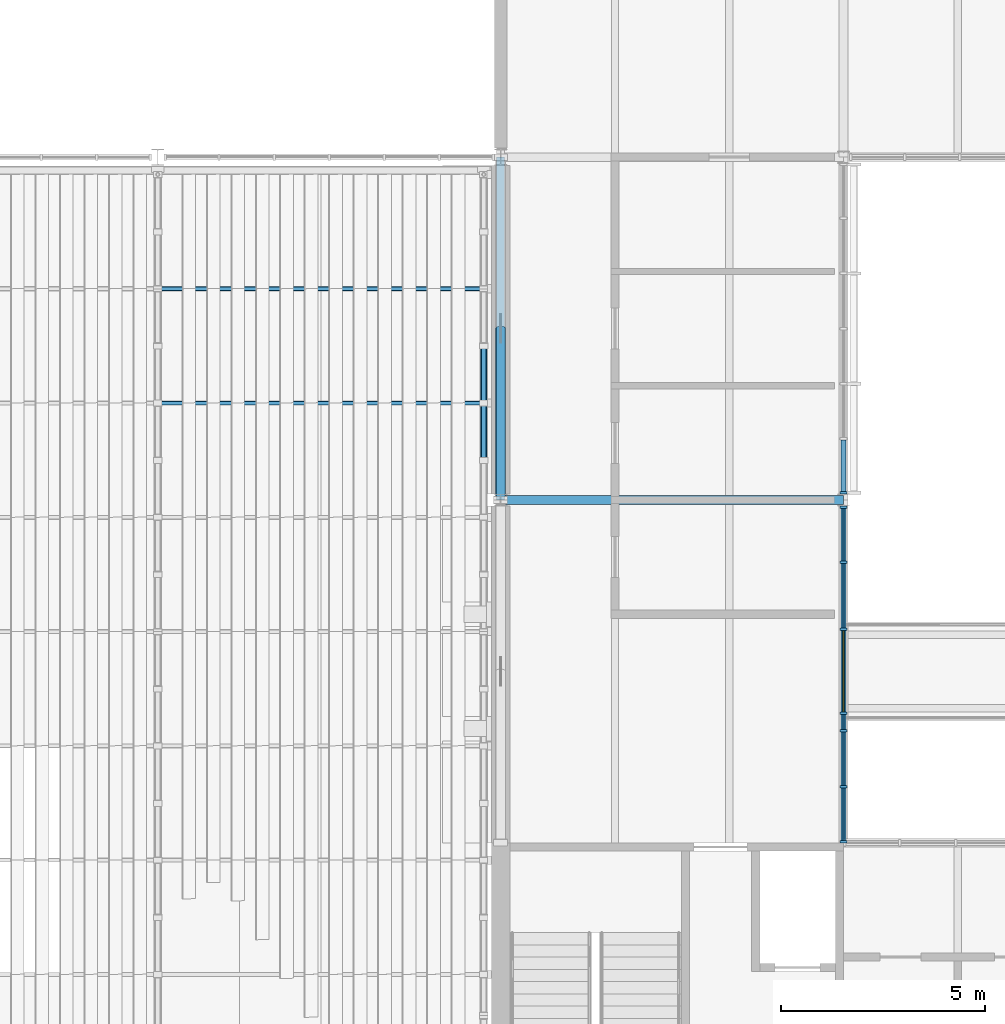
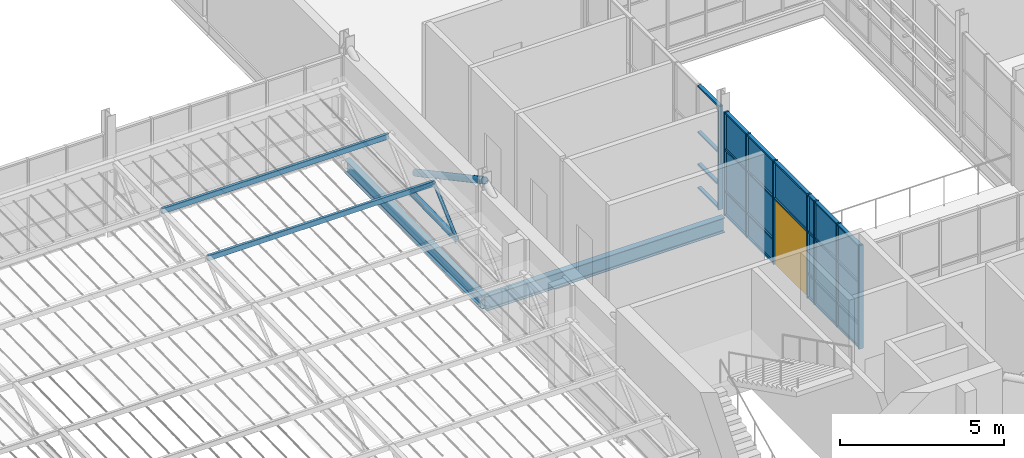
# One storey, part 37 of 129: 40 members, 16 plates, 2 beams, 1 door, 1 opening, 2 elements without a shape of their own.
"""IFC4 building model written with IfcOpenShell, lengths in metres."""

from ifc_helpers import new_model, si_unit, direction, frame, frame_2d, origin, origin_2d, place, context, subcontext, project, spatial, rectangle, hollow_rectangle, hollow_circle, i_section, extrude, material, layer, layer_set, material_profile, profile_set, type_object, element, fill, aggregate, save


model = new_model("IFC4")

# Units and contexts
model_context = context("Model", 3, precision=1e-05, world=origin(), true_north=direction((0.0, 1.0)))
body_context = subcontext(model_context, "Body", "Model", "MODEL_VIEW")
ifc_project = project(units=[si_unit("LENGTHUNIT", "METRE"), si_unit("AREAUNIT", "SQUARE_METRE"), si_unit("VOLUMEUNIT", "CUBIC_METRE"), si_unit("PLANEANGLEUNIT", "RADIAN"), si_unit("MASSUNIT", "GRAM", prefix="KILO")], contexts=[model_context])

# Site, building, storey
site_placement = place(None, origin())
site = spatial("IfcSite", under=ifc_project, at=site_placement, CompositionType="ELEMENT")
building_placement = place(site_placement, origin())
building = spatial("IfcBuilding", under=site, at=building_placement, Name="Ardhachandra Cancer Care Centre", CompositionType="ELEMENT")
storey_placement = place(building_placement, frame((0.0, 0.0, 4.5)))
storey = spatial("IfcBuildingStorey", under=building, at=storey_placement, Name="L01", CompositionType="ELEMENT", Elevation=4.5)

# Beams
ifc_material_1 = material(Name="Steel E350 (IS 2062)", Category="steel")
ifc_material_profile_1 = material_profile(ifc_material_1, i_section(OverallWidth=0.199951171875, OverallDepth=0.5, WebThickness=0.01025390625, FlangeThickness=0.01611328125, FilletRadius=0.02099609375, at=origin_2d()), Name="NPB 500x200x90.68")
ifc_profile_set_1 = profile_set([ifc_material_profile_1], Name="Steel E350 (IS 2062)")
beam_type_1 = type_object("IfcBeamType", Name="Beam NPB 500x200x90.68", PredefinedType="BEAM", material=ifc_profile_set_1)
beam_1_placement = place(storey_placement, frame((111.60009765625, 46.199951171875, -0.39990234375), z_axis=(0.0, 1.0, 0.0), x_axis=(-1.0, 0.0, 0.0)))
element("IfcBeam", 1, at=beam_1_placement, inside=storey, type_object=beam_type_1, Name="Edge girder E13-F13", PredefinedType="BEAM", context=body_context, shape_type="SweptSolid", body=[
    extrude(i_section(OverallWidth=0.199951171875, OverallDepth=0.5, WebThickness=0.01025390625, FlangeThickness=0.01611328125, FilletRadius=0.02099609375, at=origin_2d()), origin(), (0.0, 0.0, 1.0), 8.400146484375),
])
ifc_material_2 = material(Name="Steel E350 (IS 2062)", Category="steel")
ifc_material_profile_2 = material_profile(ifc_material_2, i_section(OverallWidth=0.2099609375, OverallDepth=0.550048828125, WebThickness=0.010986328125, FlangeThickness=0.01708984375, FilletRadius=0.02392578125, at=origin_2d()), Name="NPB 550x210x105.52")
ifc_profile_set_2 = profile_set([ifc_material_profile_2], Name="Steel E350 (IS 2062)")
beam_type_2 = type_object("IfcBeamType", Name="Beam NPB 550x210x105.52", PredefinedType="BEAM", material=ifc_profile_set_2)
beam_2_placement = place(storey_placement, frame((111.60009765625, 46.199951171875, -0.425048828125), z_axis=(1.0, 0.0, 0.0), x_axis=(0.0, 1.0, 0.0)))
element("IfcBeam", 2, at=beam_2_placement, inside=storey, type_object=beam_type_2, Name="Girder E13-E14", PredefinedType="BEAM", context=body_context, shape_type="SweptSolid", body=[
    extrude(i_section(OverallWidth=0.2099609375, OverallDepth=0.550048828125, WebThickness=0.010986328125, FlangeThickness=0.01708984375, FilletRadius=0.02392578125, at=origin_2d()), origin(), (0.0, 0.0, 1.0), 8.39990234375),
])

# Members
ifc_material_3 = material(Name="Steel E350 (IS 2062)", Category="steel")
ifc_material_profile_3 = material_profile(ifc_material_3, hollow_circle(Radius=0.122314453125, WallThickness=0.010009765625, at=origin_2d()), Name="CHS 244.5x10.0")
ifc_profile_set_3 = profile_set([ifc_material_profile_3], Name="Steel E350 (IS 2062)")
member_type_1 = type_object("IfcMemberType", Name="Brace CHS 244.5x10.0", PredefinedType="BRACE", material=ifc_profile_set_3)
member_1_placement = place(storey_placement, frame((111.60009765625, 50.39990234375, 1.85888671875), z_axis=(0.0, -0.88068799453, 0.473696797848), x_axis=(1.0, 0.0, 0.0)))
element("IfcMember", 3, at=member_1_placement, inside=storey, type_object=member_type_1, Name="Brace V4-Y1116-462 L01 B2", PredefinedType="BRACE", context=body_context, shape_type="SweptSolid", body=[
    extrude(hollow_circle(Radius=0.122314453125, WallThickness=0.010009765625, at=origin_2d()), origin(), (0.0, 0.0, 1.0), 4.76904296875),
])
ifc_material_4 = material(Name="Steel E350 (IS 2062)", Category="steel")
ifc_material_profile_4 = material_profile(ifc_material_4, hollow_rectangle(XDim=0.10009765625, YDim=0.199951171875, WallThickness=0.006103515625, InnerFilletRadius=0.006103515625, OuterFilletRadius=0.011962890625, at=origin_2d()), Name="RHS 200x100x6.0")
ifc_profile_set_4 = profile_set([ifc_material_profile_4], Name="Steel E350 (IS 2062)")
member_type_2 = type_object("IfcMemberType", Name="Canopy purlin RHS 200x100x6.0", PredefinedType="PURLIN", material=ifc_profile_set_4)
for number, where, z_axis, x_axis, name in (
    (4, (103.199951171875, 51.375, 2.78759765625), (1.0, 0.0, 0.0), (0.0, 1.0, 0.0), "Canopy purlin 1-8"),
    (5, (103.199951171875, 48.574951171875, 2.7314453125), (1.0, 0.0, 0.0), (0.0, 1.0, 0.0), "Canopy purlin 2-8"),
):
    element("IfcMember", number, at=place(storey_placement, frame(where, z_axis=z_axis, x_axis=x_axis)), inside=storey, type_object=member_type_2, Name=name, PredefinedType="PURLIN", context=body_context, shape_type="SweptSolid", body=[
        extrude(hollow_rectangle(XDim=0.10009765625, YDim=0.199951171875, WallThickness=0.006103515625, InnerFilletRadius=0.006103515625, OuterFilletRadius=0.011962890625, at=origin_2d()), origin(), (0.0, 0.0, 1.0), 7.985107421875),
    ])
ifc_material_5 = material(Name="Steel E350 (IS 2062)", Category="steel")
ifc_material_profile_5 = material_profile(ifc_material_5, hollow_rectangle(XDim=0.14990234375, YDim=0.14990234375, WallThickness=0.006103515625, InnerFilletRadius=0.006103515625, OuterFilletRadius=0.011962890625, at=origin_2d()), Name="SHS 150x150x6.0")
ifc_profile_set_5 = profile_set([ifc_material_profile_5], Name="Steel E350 (IS 2062)")
member_type_3 = type_object("IfcMemberType", Name="Canopy truss bottom chord SHS 150x150x6.0", PredefinedType="CHORD", material=ifc_profile_set_5)
member_2_placement = place(storey_placement, frame((111.18505859375, 49.97509765625, 1.534423828125), z_axis=(0.0, -0.999800721691, -0.019962888244), x_axis=(1.0, 0.0, 0.0)))
element("IfcMember", 6, at=member_2_placement, inside=storey, type_object=member_type_3, Name="Canopy truss 9 bottom chord BC11", PredefinedType="CHORD", context=body_context, shape_type="SweptSolid", body=[
    extrude(hollow_rectangle(XDim=0.14990234375, YDim=0.14990234375, WallThickness=0.006103515625, InnerFilletRadius=0.006103515625, OuterFilletRadius=0.011962890625, at=origin_2d()), origin(), (0.0, 0.0, 1.0), 2.800537109375),
])
ifc_material_6 = material(Name="Steel E350 (IS 2062)", Category="steel")
ifc_material_profile_6 = material_profile(ifc_material_6, hollow_circle(Radius=0.05712890625, WallThickness=0.0048828125, at=origin_2d()), Name="CHS 114.3x5.0")
ifc_profile_set_6 = profile_set([ifc_material_profile_6], Name="Steel E350 (IS 2062)")
member_type_4 = type_object("IfcMemberType", Name="Canopy truss diagonal CHS 114.3x5.0", PredefinedType="BRACE", material=ifc_profile_set_6)
member_3_placement = place(storey_placement, frame((111.18505859375, 49.97509765625, 1.534423828125), z_axis=(0.0, -0.75740770942, 0.65294223459), x_axis=(1.0, 0.0, 0.0)))
element("IfcMember", 7, at=member_3_placement, inside=storey, type_object=member_type_4, Name="Canopy truss 9 web diagonal WD21", PredefinedType="BRACE", context=body_context, shape_type="SweptSolid", body=[
    extrude(hollow_circle(Radius=0.05712890625, WallThickness=0.0048828125, at=origin_2d()), origin(), (0.0, 0.0, 1.0), 1.8486328125),
])
member_4_placement = place(storey_placement, frame((111.18505859375, 48.574951171875, 2.741455078125), z_axis=(0.0, -0.742495214915, -0.669851368461), x_axis=(1.0, 0.0, 0.0)))
element("IfcMember", 8, at=member_4_placement, inside=storey, type_object=member_type_4, Name="Canopy truss 9 web diagonal WD22", PredefinedType="BRACE", context=body_context, shape_type="SweptSolid", body=[
    extrude(hollow_circle(Radius=0.05712890625, WallThickness=0.0048828125, at=origin_2d()), origin(), (0.0, 0.0, 1.0), 1.885498046875),
])

# Curtain wall, opening, members
ifc_material_7 = material(Name="Aluminium extrusion", Category="aluminium")
ifc_layer_1 = layer(ifc_material_7, 0.14990234375)
ifc_layer_set_1 = layer_set([ifc_layer_1], Name="Aluminium extrusion")
curtain_wall_type = type_object("IfcCurtainWallType", Name="Curtain wall run", PredefinedType="NOTDEFINED", material=ifc_layer_set_1)
curtain_wall_1_placement = place(storey_placement, frame((120.0, 37.800048828125, 0.0), z_axis=(0.0, 0.0, 1.0), x_axis=(0.0, 1.0, 0.0)))
curtain_wall_1 = element("IfcCurtainWall", 9, at=curtain_wall_1_placement, inside=storey, type_object=curtain_wall_type, Name="Curtain wall L01 e/0120000_0037800", PredefinedType="NOTDEFINED")
opening_placement = place(curtain_wall_1_placement, frame((3.199951171875, 0.0, 0.0)))
opening = element("IfcOpeningElement", 10, at=opening_placement, cuts=curtain_wall_1, Name="Opening BR-LC1-L01-e", PredefinedType="OPENING", context=body_context, shape_type="SweptSolid", body=[
    extrude(rectangle(XDim=2.0, YDim=2.39990234375, at=frame_2d((1.0, 1.199951171875))), frame((0.0, 0.0849609375, 0.0), z_axis=(0.0, -1.0, 0.0), x_axis=(1.0, 0.0, 0.0)), (0.0, 0.0, 1.0), 0.169921875),
])
ifc_material_8 = material(Name="Aluminium extrusion", Category="aluminium")
ifc_material_profile_7 = material_profile(ifc_material_8, rectangle(XDim=0.159912109375, YDim=0.06005859375, at=origin_2d()), Name="Curtain wall mullion 60 x 160")
ifc_profile_set_7 = profile_set([ifc_material_profile_7], Name="Aluminium extrusion")
member_type_5 = type_object("IfcMemberType", Name="Curtain wall mullion 60 x 160", PredefinedType="MULLION", material=ifc_profile_set_7)
member_5_placement = place(storey_placement, frame((120.0, 37.830078125, 0.0), z_axis=(0.0, 0.0, 1.0), x_axis=(-1.0, 0.0, 0.0)))
member_5 = element("IfcMember", 11, at=member_5_placement, type_object=member_type_5, Name="CW mullion 1", PredefinedType="MULLION", context=body_context, shape_type="SweptSolid", body=[
    extrude(rectangle(XDim=0.159912109375, YDim=0.06005859375, at=origin_2d()), origin(), (0.0, 0.0, 1.0), 3.85009765625),
])
member_6_placement = place(storey_placement, frame((120.0, 39.175048828125, 0.0), z_axis=(0.0, 0.0, 1.0), x_axis=(-1.0, 0.0, 0.0)))
member_6 = element("IfcMember", 12, at=member_6_placement, type_object=member_type_5, Name="CW mullion 2", PredefinedType="MULLION", context=body_context, shape_type="SweptSolid", body=[
    extrude(rectangle(XDim=0.159912109375, YDim=0.06005859375, at=origin_2d()), origin(), (0.0, 0.0, 1.0), 3.85009765625),
])
member_7_placement = place(storey_placement, frame((120.0, 40.550048828125, 0.0), z_axis=(0.0, 0.0, 1.0), x_axis=(-1.0, 0.0, 0.0)))
member_7 = element("IfcMember", 13, at=member_7_placement, type_object=member_type_5, Name="CW mullion 3", PredefinedType="MULLION", context=body_context, shape_type="SweptSolid", body=[
    extrude(rectangle(XDim=0.159912109375, YDim=0.06005859375, at=origin_2d()), origin(), (0.0, 0.0, 1.0), 3.85009765625),
])
member_8_placement = place(storey_placement, frame((120.0, 40.969970703125, 0.0), z_axis=(0.0, 0.0, 1.0), x_axis=(-1.0, 0.0, 0.0)))
member_8 = element("IfcMember", 14, at=member_8_placement, type_object=member_type_5, Name="CW mullion 4", PredefinedType="MULLION", context=body_context, shape_type="SweptSolid", body=[
    extrude(rectangle(XDim=0.159912109375, YDim=0.06005859375, at=origin_2d()), origin(), (0.0, 0.0, 1.0), 3.85009765625),
])
member_9_placement = place(storey_placement, frame((120.0, 43.030029296875, 0.0), z_axis=(0.0, 0.0, 1.0), x_axis=(-1.0, 0.0, 0.0)))
member_9 = element("IfcMember", 15, at=member_9_placement, type_object=member_type_5, Name="CW mullion 5", PredefinedType="MULLION", context=body_context, shape_type="SweptSolid", body=[
    extrude(rectangle(XDim=0.159912109375, YDim=0.06005859375, at=origin_2d()), origin(), (0.0, 0.0, 1.0), 3.85009765625),
])
member_10_placement = place(storey_placement, frame((120.0, 44.675048828125, 0.0), z_axis=(0.0, 0.0, 1.0), x_axis=(-1.0, 0.0, 0.0)))
member_10 = element("IfcMember", 16, at=member_10_placement, type_object=member_type_5, Name="CW mullion 6", PredefinedType="MULLION", context=body_context, shape_type="SweptSolid", body=[
    extrude(rectangle(XDim=0.159912109375, YDim=0.06005859375, at=origin_2d()), origin(), (0.0, 0.0, 1.0), 3.85009765625),
])
member_11_placement = place(storey_placement, frame((120.0, 46.02001953125, 0.0), z_axis=(0.0, 0.0, 1.0), x_axis=(-1.0, 0.0, 0.0)))
member_11 = element("IfcMember", 17, at=member_11_placement, type_object=member_type_5, Name="CW mullion 7", PredefinedType="MULLION", context=body_context, shape_type="SweptSolid", body=[
    extrude(rectangle(XDim=0.159912109375, YDim=0.06005859375, at=origin_2d()), origin(), (0.0, 0.0, 1.0), 3.85009765625),
])

# Curtain wall, member
curtain_wall_2_placement = place(storey_placement, origin())
curtain_wall_2 = element("IfcCurtainWall", 18, at=curtain_wall_2_placement, inside=storey, type_object=curtain_wall_type, Name="Curtain wall L01 e/0120000_0046200", PredefinedType="NOTDEFINED")
member_12_placement = place(storey_placement, frame((120.0, 46.3798828125, 0.0), z_axis=(0.0, 0.0, 1.0), x_axis=(-1.0, 0.0, 0.0)))
member_12 = element("IfcMember", 19, at=member_12_placement, type_object=member_type_5, Name="CW mullion 1", PredefinedType="MULLION", context=body_context, shape_type="SweptSolid", body=[
    extrude(rectangle(XDim=0.159912109375, YDim=0.06005859375, at=origin_2d()), origin(), (0.0, 0.0, 1.0), 3.85009765625),
])

# Member
ifc_material_9 = material(Name="Aluminium extrusion", Category="aluminium")
ifc_material_profile_8 = material_profile(ifc_material_9, rectangle(XDim=0.1201171875, YDim=0.06005859375, at=origin_2d()), Name="Curtain wall transom 60 x 120")
ifc_profile_set_8 = profile_set([ifc_material_profile_8], Name="Aluminium extrusion")
member_type_6 = type_object("IfcMemberType", Name="Curtain wall transom 60 x 120", PredefinedType="USERDEFINED", material=ifc_profile_set_8)
member_13_placement = place(storey_placement, frame((120.0, 37.860107421875, 0.030029296875), z_axis=(0.0, 1.0, 0.0), x_axis=(-1.0, 0.0, 0.0)))
member_13 = element("IfcMember", 20, at=member_13_placement, type_object=member_type_6, Name="CW transom 1.1", ObjectType="TRANSOM", PredefinedType="USERDEFINED", context=body_context, shape_type="SweptSolid", body=[
    extrude(rectangle(XDim=0.1201171875, YDim=0.06005859375, at=origin_2d()), origin(), (0.0, 0.0, 1.0), 1.284912109375),
])

member_14_placement = place(storey_placement, frame((120.0, 37.860107421875, 0.89990234375), z_axis=(0.0, 1.0, 0.0), x_axis=(-1.0, 0.0, 0.0)))
member_14 = element("IfcMember", 21, at=member_14_placement, type_object=member_type_6, Name="CW transom 1.2", ObjectType="TRANSOM", PredefinedType="USERDEFINED", context=body_context, shape_type="SweptSolid", body=[
    extrude(rectangle(XDim=0.1201171875, YDim=0.06005859375, at=origin_2d()), origin(), (0.0, 0.0, 1.0), 1.284912109375),
])

member_15_placement = place(storey_placement, frame((120.0, 37.860107421875, 2.4599609375), z_axis=(0.0, 1.0, 0.0), x_axis=(-1.0, 0.0, 0.0)))
member_15 = element("IfcMember", 22, at=member_15_placement, type_object=member_type_6, Name="CW transom 1.3", ObjectType="TRANSOM", PredefinedType="USERDEFINED", context=body_context, shape_type="SweptSolid", body=[
    extrude(rectangle(XDim=0.1201171875, YDim=0.06005859375, at=origin_2d()), origin(), (0.0, 0.0, 1.0), 1.284912109375),
])

member_16_placement = place(storey_placement, frame((120.0, 37.860107421875, 3.820068359375), z_axis=(0.0, 1.0, 0.0), x_axis=(-1.0, 0.0, 0.0)))
member_16 = element("IfcMember", 23, at=member_16_placement, type_object=member_type_6, Name="CW transom 1.4", ObjectType="TRANSOM", PredefinedType="USERDEFINED", context=body_context, shape_type="SweptSolid", body=[
    extrude(rectangle(XDim=0.1201171875, YDim=0.06005859375, at=origin_2d()), origin(), (0.0, 0.0, 1.0), 1.284912109375),
])

member_17_placement = place(storey_placement, frame((120.0, 39.205078125, 0.030029296875), z_axis=(0.0, 1.0, 0.0), x_axis=(-1.0, 0.0, 0.0)))
member_17 = element("IfcMember", 24, at=member_17_placement, type_object=member_type_6, Name="CW transom 2.1", ObjectType="TRANSOM", PredefinedType="USERDEFINED", context=body_context, shape_type="SweptSolid", body=[
    extrude(rectangle(XDim=0.1201171875, YDim=0.06005859375, at=origin_2d()), origin(), (0.0, 0.0, 1.0), 1.31494140625),
])

member_18_placement = place(storey_placement, frame((120.0, 39.205078125, 0.89990234375), z_axis=(0.0, 1.0, 0.0), x_axis=(-1.0, 0.0, 0.0)))
member_18 = element("IfcMember", 25, at=member_18_placement, type_object=member_type_6, Name="CW transom 2.2", ObjectType="TRANSOM", PredefinedType="USERDEFINED", context=body_context, shape_type="SweptSolid", body=[
    extrude(rectangle(XDim=0.1201171875, YDim=0.06005859375, at=origin_2d()), origin(), (0.0, 0.0, 1.0), 1.31494140625),
])

member_19_placement = place(storey_placement, frame((120.0, 39.205078125, 2.4599609375), z_axis=(0.0, 1.0, 0.0), x_axis=(-1.0, 0.0, 0.0)))
member_19 = element("IfcMember", 26, at=member_19_placement, type_object=member_type_6, Name="CW transom 2.3", ObjectType="TRANSOM", PredefinedType="USERDEFINED", context=body_context, shape_type="SweptSolid", body=[
    extrude(rectangle(XDim=0.1201171875, YDim=0.06005859375, at=origin_2d()), origin(), (0.0, 0.0, 1.0), 1.31494140625),
])

member_20_placement = place(storey_placement, frame((120.0, 39.205078125, 3.820068359375), z_axis=(0.0, 1.0, 0.0), x_axis=(-1.0, 0.0, 0.0)))
member_20 = element("IfcMember", 27, at=member_20_placement, type_object=member_type_6, Name="CW transom 2.4", ObjectType="TRANSOM", PredefinedType="USERDEFINED", context=body_context, shape_type="SweptSolid", body=[
    extrude(rectangle(XDim=0.1201171875, YDim=0.06005859375, at=origin_2d()), origin(), (0.0, 0.0, 1.0), 1.31494140625),
])

member_21_placement = place(storey_placement, frame((120.0, 40.580078125, 0.030029296875), z_axis=(0.0, 1.0, 0.0), x_axis=(-1.0, 0.0, 0.0)))
member_21 = element("IfcMember", 28, at=member_21_placement, type_object=member_type_6, Name="CW transom 3.1", ObjectType="TRANSOM", PredefinedType="USERDEFINED", context=body_context, shape_type="SweptSolid", body=[
    extrude(rectangle(XDim=0.1201171875, YDim=0.06005859375, at=origin_2d()), origin(), (0.0, 0.0, 1.0), 0.35986328125),
])

member_22_placement = place(storey_placement, frame((120.0, 40.580078125, 0.89990234375), z_axis=(0.0, 1.0, 0.0), x_axis=(-1.0, 0.0, 0.0)))
member_22 = element("IfcMember", 29, at=member_22_placement, type_object=member_type_6, Name="CW transom 3.2", ObjectType="TRANSOM", PredefinedType="USERDEFINED", context=body_context, shape_type="SweptSolid", body=[
    extrude(rectangle(XDim=0.1201171875, YDim=0.06005859375, at=origin_2d()), origin(), (0.0, 0.0, 1.0), 0.35986328125),
])

member_23_placement = place(storey_placement, frame((120.0, 40.580078125, 2.4599609375), z_axis=(0.0, 1.0, 0.0), x_axis=(-1.0, 0.0, 0.0)))
member_23 = element("IfcMember", 30, at=member_23_placement, type_object=member_type_6, Name="CW transom 3.3", ObjectType="TRANSOM", PredefinedType="USERDEFINED", context=body_context, shape_type="SweptSolid", body=[
    extrude(rectangle(XDim=0.1201171875, YDim=0.06005859375, at=origin_2d()), origin(), (0.0, 0.0, 1.0), 0.35986328125),
])

member_24_placement = place(storey_placement, frame((120.0, 40.580078125, 3.820068359375), z_axis=(0.0, 1.0, 0.0), x_axis=(-1.0, 0.0, 0.0)))
member_24 = element("IfcMember", 31, at=member_24_placement, type_object=member_type_6, Name="CW transom 3.4", ObjectType="TRANSOM", PredefinedType="USERDEFINED", context=body_context, shape_type="SweptSolid", body=[
    extrude(rectangle(XDim=0.1201171875, YDim=0.06005859375, at=origin_2d()), origin(), (0.0, 0.0, 1.0), 0.35986328125),
])

member_25_placement = place(storey_placement, frame((120.0, 41.0, 2.4599609375), z_axis=(0.0, 1.0, 0.0), x_axis=(-1.0, 0.0, 0.0)))
member_25 = element("IfcMember", 32, at=member_25_placement, type_object=member_type_6, Name="CW transom 4.1", ObjectType="TRANSOM", PredefinedType="USERDEFINED", context=body_context, shape_type="SweptSolid", body=[
    extrude(rectangle(XDim=0.1201171875, YDim=0.06005859375, at=origin_2d()), origin(), (0.0, 0.0, 1.0), 2.0),
])

member_26_placement = place(storey_placement, frame((120.0, 41.0, 3.820068359375), z_axis=(0.0, 1.0, 0.0), x_axis=(-1.0, 0.0, 0.0)))
member_26 = element("IfcMember", 33, at=member_26_placement, type_object=member_type_6, Name="CW transom 4.2", ObjectType="TRANSOM", PredefinedType="USERDEFINED", context=body_context, shape_type="SweptSolid", body=[
    extrude(rectangle(XDim=0.1201171875, YDim=0.06005859375, at=origin_2d()), origin(), (0.0, 0.0, 1.0), 2.0),
])

member_27_placement = place(storey_placement, frame((120.0, 43.06005859375, 0.030029296875), z_axis=(0.0, 1.0, 0.0), x_axis=(-1.0, 0.0, 0.0)))
member_27 = element("IfcMember", 34, at=member_27_placement, type_object=member_type_6, Name="CW transom 5.1", ObjectType="TRANSOM", PredefinedType="USERDEFINED", context=body_context, shape_type="SweptSolid", body=[
    extrude(rectangle(XDim=0.1201171875, YDim=0.06005859375, at=origin_2d()), origin(), (0.0, 0.0, 1.0), 1.5849609375),
])

member_28_placement = place(storey_placement, frame((120.0, 43.06005859375, 0.89990234375), z_axis=(0.0, 1.0, 0.0), x_axis=(-1.0, 0.0, 0.0)))
member_28 = element("IfcMember", 35, at=member_28_placement, type_object=member_type_6, Name="CW transom 5.2", ObjectType="TRANSOM", PredefinedType="USERDEFINED", context=body_context, shape_type="SweptSolid", body=[
    extrude(rectangle(XDim=0.1201171875, YDim=0.06005859375, at=origin_2d()), origin(), (0.0, 0.0, 1.0), 1.5849609375),
])

member_29_placement = place(storey_placement, frame((120.0, 43.06005859375, 2.4599609375), z_axis=(0.0, 1.0, 0.0), x_axis=(-1.0, 0.0, 0.0)))
member_29 = element("IfcMember", 36, at=member_29_placement, type_object=member_type_6, Name="CW transom 5.3", ObjectType="TRANSOM", PredefinedType="USERDEFINED", context=body_context, shape_type="SweptSolid", body=[
    extrude(rectangle(XDim=0.1201171875, YDim=0.06005859375, at=origin_2d()), origin(), (0.0, 0.0, 1.0), 1.5849609375),
])

member_30_placement = place(storey_placement, frame((120.0, 43.06005859375, 3.820068359375), z_axis=(0.0, 1.0, 0.0), x_axis=(-1.0, 0.0, 0.0)))
member_30 = element("IfcMember", 37, at=member_30_placement, type_object=member_type_6, Name="CW transom 5.4", ObjectType="TRANSOM", PredefinedType="USERDEFINED", context=body_context, shape_type="SweptSolid", body=[
    extrude(rectangle(XDim=0.1201171875, YDim=0.06005859375, at=origin_2d()), origin(), (0.0, 0.0, 1.0), 1.5849609375),
])

member_31_placement = place(storey_placement, frame((120.0, 44.705078125, 0.030029296875), z_axis=(0.0, 1.0, 0.0), x_axis=(-1.0, 0.0, 0.0)))
member_31 = element("IfcMember", 38, at=member_31_placement, type_object=member_type_6, Name="CW transom 6.1", ObjectType="TRANSOM", PredefinedType="USERDEFINED", context=body_context, shape_type="SweptSolid", body=[
    extrude(rectangle(XDim=0.1201171875, YDim=0.06005859375, at=origin_2d()), origin(), (0.0, 0.0, 1.0), 1.284912109375),
])

member_32_placement = place(storey_placement, frame((120.0, 44.705078125, 0.89990234375), z_axis=(0.0, 1.0, 0.0), x_axis=(-1.0, 0.0, 0.0)))
member_32 = element("IfcMember", 39, at=member_32_placement, type_object=member_type_6, Name="CW transom 6.2", ObjectType="TRANSOM", PredefinedType="USERDEFINED", context=body_context, shape_type="SweptSolid", body=[
    extrude(rectangle(XDim=0.1201171875, YDim=0.06005859375, at=origin_2d()), origin(), (0.0, 0.0, 1.0), 1.284912109375),
])

member_33_placement = place(storey_placement, frame((120.0, 44.705078125, 2.4599609375), z_axis=(0.0, 1.0, 0.0), x_axis=(-1.0, 0.0, 0.0)))
member_33 = element("IfcMember", 40, at=member_33_placement, type_object=member_type_6, Name="CW transom 6.3", ObjectType="TRANSOM", PredefinedType="USERDEFINED", context=body_context, shape_type="SweptSolid", body=[
    extrude(rectangle(XDim=0.1201171875, YDim=0.06005859375, at=origin_2d()), origin(), (0.0, 0.0, 1.0), 1.284912109375),
])

member_34_placement = place(storey_placement, frame((120.0, 44.705078125, 3.820068359375), z_axis=(0.0, 1.0, 0.0), x_axis=(-1.0, 0.0, 0.0)))
member_34 = element("IfcMember", 41, at=member_34_placement, type_object=member_type_6, Name="CW transom 6.4", ObjectType="TRANSOM", PredefinedType="USERDEFINED", context=body_context, shape_type="SweptSolid", body=[
    extrude(rectangle(XDim=0.1201171875, YDim=0.06005859375, at=origin_2d()), origin(), (0.0, 0.0, 1.0), 1.284912109375),
])

member_35_placement = place(storey_placement, frame((120.0, 46.409912109375, 0.030029296875), z_axis=(0.0, 1.0, 0.0), x_axis=(-1.0, 0.0, 0.0)))
member_35 = element("IfcMember", 42, at=member_35_placement, type_object=member_type_6, Name="CW transom 1.1", ObjectType="TRANSOM", PredefinedType="USERDEFINED", context=body_context, shape_type="SweptSolid", body=[
    extrude(rectangle(XDim=0.1201171875, YDim=0.06005859375, at=origin_2d()), origin(), (0.0, 0.0, 1.0), 1.260009765625),
])

member_36_placement = place(storey_placement, frame((120.0, 46.409912109375, 0.89990234375), z_axis=(0.0, 1.0, 0.0), x_axis=(-1.0, 0.0, 0.0)))
member_36 = element("IfcMember", 43, at=member_36_placement, type_object=member_type_6, Name="CW transom 1.2", ObjectType="TRANSOM", PredefinedType="USERDEFINED", context=body_context, shape_type="SweptSolid", body=[
    extrude(rectangle(XDim=0.1201171875, YDim=0.06005859375, at=origin_2d()), origin(), (0.0, 0.0, 1.0), 1.260009765625),
])

member_37_placement = place(storey_placement, frame((120.0, 46.409912109375, 2.10009765625), z_axis=(0.0, 1.0, 0.0), x_axis=(-1.0, 0.0, 0.0)))
member_37 = element("IfcMember", 44, at=member_37_placement, type_object=member_type_6, Name="CW transom 1.3", ObjectType="TRANSOM", PredefinedType="USERDEFINED", context=body_context, shape_type="SweptSolid", body=[
    extrude(rectangle(XDim=0.1201171875, YDim=0.06005859375, at=origin_2d()), origin(), (0.0, 0.0, 1.0), 1.260009765625),
])

member_38_placement = place(storey_placement, frame((120.0, 46.409912109375, 3.820068359375), z_axis=(0.0, 1.0, 0.0), x_axis=(-1.0, 0.0, 0.0)))
member_38 = element("IfcMember", 45, at=member_38_placement, type_object=member_type_6, Name="CW transom 1.4", ObjectType="TRANSOM", PredefinedType="USERDEFINED", context=body_context, shape_type="SweptSolid", body=[
    extrude(rectangle(XDim=0.1201171875, YDim=0.06005859375, at=origin_2d()), origin(), (0.0, 0.0, 1.0), 1.260009765625),
])

aggregate(curtain_wall_2, [member_12, member_35, member_36, member_37, member_38])

# Plate
ifc_material_10 = material(Name="Low-iron double-glazed unit")
ifc_layer_2 = layer(ifc_material_10, 0.028076171875)
ifc_layer_set_2 = layer_set([ifc_layer_2], Name="Low-iron double-glazed unit")
plate_type_1 = type_object("IfcPlateType", Name="Curtain wall glazing 28", PredefinedType="CURTAIN_PANEL", material=ifc_layer_set_2)
plate_1_placement = place(storey_placement, frame((120.0, 38.50244140625, 0.929931640625), z_axis=(0.0, 0.0, 1.0), x_axis=(0.0, 1.0, 0.0)))
plate_1 = element("IfcPlate", 46, at=plate_1_placement, type_object=plate_type_1, Name="CW panel 1.2", PredefinedType="CURTAIN_PANEL", context=body_context, shape_type="SweptSolid", body=[
    extrude(rectangle(XDim=1.284912109375, YDim=0.028076171875, at=origin_2d()), origin(), (0.0, 0.0, 1.0), 1.5),
])

plate_2_placement = place(storey_placement, frame((120.0, 38.50244140625, 2.48974609375), z_axis=(0.0, 0.0, 1.0), x_axis=(0.0, 1.0, 0.0)))
plate_2 = element("IfcPlate", 47, at=plate_2_placement, type_object=plate_type_1, Name="CW panel 1.3", PredefinedType="CURTAIN_PANEL", context=body_context, shape_type="SweptSolid", body=[
    extrude(rectangle(XDim=1.284912109375, YDim=0.028076171875, at=origin_2d()), origin(), (0.0, 0.0, 1.0), 1.300048828125),
])

plate_3_placement = place(storey_placement, frame((120.0, 39.862548828125, 0.929931640625), z_axis=(0.0, 0.0, 1.0), x_axis=(0.0, 1.0, 0.0)))
plate_3 = element("IfcPlate", 48, at=plate_3_placement, type_object=plate_type_1, Name="CW panel 2.2", PredefinedType="CURTAIN_PANEL", context=body_context, shape_type="SweptSolid", body=[
    extrude(rectangle(XDim=1.31494140625, YDim=0.028076171875, at=origin_2d()), origin(), (0.0, 0.0, 1.0), 1.5),
])

plate_4_placement = place(storey_placement, frame((120.0, 39.862548828125, 2.48974609375), z_axis=(0.0, 0.0, 1.0), x_axis=(0.0, 1.0, 0.0)))
plate_4 = element("IfcPlate", 49, at=plate_4_placement, type_object=plate_type_1, Name="CW panel 2.3", PredefinedType="CURTAIN_PANEL", context=body_context, shape_type="SweptSolid", body=[
    extrude(rectangle(XDim=1.31494140625, YDim=0.028076171875, at=origin_2d()), origin(), (0.0, 0.0, 1.0), 1.300048828125),
])

plate_5_placement = place(storey_placement, frame((120.0, 40.760009765625, 0.929931640625), z_axis=(0.0, 0.0, 1.0), x_axis=(0.0, 1.0, 0.0)))
plate_5 = element("IfcPlate", 50, at=plate_5_placement, type_object=plate_type_1, Name="CW panel 3.2", PredefinedType="CURTAIN_PANEL", context=body_context, shape_type="SweptSolid", body=[
    extrude(rectangle(XDim=0.360107421875, YDim=0.028076171875, at=origin_2d()), origin(), (0.0, 0.0, 1.0), 1.5),
])

plate_6_placement = place(storey_placement, frame((120.0, 40.760009765625, 2.48974609375), z_axis=(0.0, 0.0, 1.0), x_axis=(0.0, 1.0, 0.0)))
plate_6 = element("IfcPlate", 51, at=plate_6_placement, type_object=plate_type_1, Name="CW panel 3.3", PredefinedType="CURTAIN_PANEL", context=body_context, shape_type="SweptSolid", body=[
    extrude(rectangle(XDim=0.360107421875, YDim=0.028076171875, at=origin_2d()), origin(), (0.0, 0.0, 1.0), 1.300048828125),
])

plate_7_placement = place(storey_placement, frame((120.0, 42.0, 2.48974609375), z_axis=(0.0, 0.0, 1.0), x_axis=(0.0, 1.0, 0.0)))
plate_7 = element("IfcPlate", 52, at=plate_7_placement, type_object=plate_type_1, Name="CW panel 4.1", PredefinedType="CURTAIN_PANEL", context=body_context, shape_type="SweptSolid", body=[
    extrude(rectangle(XDim=2.0, YDim=0.028076171875, at=origin_2d()), origin(), (0.0, 0.0, 1.0), 1.300048828125),
])

plate_8_placement = place(storey_placement, frame((120.0, 43.8525390625, 0.929931640625), z_axis=(0.0, 0.0, 1.0), x_axis=(0.0, 1.0, 0.0)))
plate_8 = element("IfcPlate", 53, at=plate_8_placement, type_object=plate_type_1, Name="CW panel 5.2", PredefinedType="CURTAIN_PANEL", context=body_context, shape_type="SweptSolid", body=[
    extrude(rectangle(XDim=1.5849609375, YDim=0.028076171875, at=origin_2d()), origin(), (0.0, 0.0, 1.0), 1.5),
])

plate_9_placement = place(storey_placement, frame((120.0, 43.8525390625, 2.48974609375), z_axis=(0.0, 0.0, 1.0), x_axis=(0.0, 1.0, 0.0)))
plate_9 = element("IfcPlate", 54, at=plate_9_placement, type_object=plate_type_1, Name="CW panel 5.3", PredefinedType="CURTAIN_PANEL", context=body_context, shape_type="SweptSolid", body=[
    extrude(rectangle(XDim=1.5849609375, YDim=0.028076171875, at=origin_2d()), origin(), (0.0, 0.0, 1.0), 1.300048828125),
])

plate_10_placement = place(storey_placement, frame((120.0, 45.347412109375, 0.929931640625), z_axis=(0.0, 0.0, 1.0), x_axis=(0.0, 1.0, 0.0)))
plate_10 = element("IfcPlate", 55, at=plate_10_placement, type_object=plate_type_1, Name="CW panel 6.2", PredefinedType="CURTAIN_PANEL", context=body_context, shape_type="SweptSolid", body=[
    extrude(rectangle(XDim=1.284912109375, YDim=0.028076171875, at=origin_2d()), origin(), (0.0, 0.0, 1.0), 1.5),
])

plate_11_placement = place(storey_placement, frame((120.0, 45.347412109375, 2.48974609375), z_axis=(0.0, 0.0, 1.0), x_axis=(0.0, 1.0, 0.0)))
plate_11 = element("IfcPlate", 56, at=plate_11_placement, type_object=plate_type_1, Name="CW panel 6.3", PredefinedType="CURTAIN_PANEL", context=body_context, shape_type="SweptSolid", body=[
    extrude(rectangle(XDim=1.284912109375, YDim=0.028076171875, at=origin_2d()), origin(), (0.0, 0.0, 1.0), 1.300048828125),
])

ifc_material_11 = material(Name="Aluminium composite spandrel panel", Category="aluminium")
ifc_layer_3 = layer(ifc_material_11, 0.028076171875)
ifc_layer_set_3 = layer_set([ifc_layer_3], Name="Aluminium composite spandrel panel")
plate_type_2 = type_object("IfcPlateType", Name="Curtain wall spandrel panel 28", PredefinedType="CURTAIN_PANEL", material=ifc_layer_set_3)
plate_12_placement = place(storey_placement, frame((120.0, 38.50244140625, 0.06005859375), z_axis=(0.0, 0.0, 1.0), x_axis=(0.0, 1.0, 0.0)))
plate_12 = element("IfcPlate", 57, at=plate_12_placement, type_object=plate_type_2, Name="CW panel 1.1", PredefinedType="CURTAIN_PANEL", context=body_context, shape_type="SweptSolid", body=[
    extrude(rectangle(XDim=1.284912109375, YDim=0.028076171875, at=origin_2d()), origin(), (0.0, 0.0, 1.0), 0.81005859375),
])

plate_13_placement = place(storey_placement, frame((120.0, 39.862548828125, 0.06005859375), z_axis=(0.0, 0.0, 1.0), x_axis=(0.0, 1.0, 0.0)))
plate_13 = element("IfcPlate", 58, at=plate_13_placement, type_object=plate_type_2, Name="CW panel 2.1", PredefinedType="CURTAIN_PANEL", context=body_context, shape_type="SweptSolid", body=[
    extrude(rectangle(XDim=1.31494140625, YDim=0.028076171875, at=origin_2d()), origin(), (0.0, 0.0, 1.0), 0.81005859375),
])

plate_14_placement = place(storey_placement, frame((120.0, 40.760009765625, 0.06005859375), z_axis=(0.0, 0.0, 1.0), x_axis=(0.0, 1.0, 0.0)))
plate_14 = element("IfcPlate", 59, at=plate_14_placement, type_object=plate_type_2, Name="CW panel 3.1", PredefinedType="CURTAIN_PANEL", context=body_context, shape_type="SweptSolid", body=[
    extrude(rectangle(XDim=0.360107421875, YDim=0.028076171875, at=origin_2d()), origin(), (0.0, 0.0, 1.0), 0.81005859375),
])

plate_15_placement = place(storey_placement, frame((120.0, 43.8525390625, 0.06005859375), z_axis=(0.0, 0.0, 1.0), x_axis=(0.0, 1.0, 0.0)))
plate_15 = element("IfcPlate", 60, at=plate_15_placement, type_object=plate_type_2, Name="CW panel 5.1", PredefinedType="CURTAIN_PANEL", context=body_context, shape_type="SweptSolid", body=[
    extrude(rectangle(XDim=1.5849609375, YDim=0.028076171875, at=origin_2d()), origin(), (0.0, 0.0, 1.0), 0.81005859375),
])

plate_16_placement = place(storey_placement, frame((120.0, 45.347412109375, 0.06005859375), z_axis=(0.0, 0.0, 1.0), x_axis=(0.0, 1.0, 0.0)))
plate_16 = element("IfcPlate", 61, at=plate_16_placement, type_object=plate_type_2, Name="CW panel 6.1", PredefinedType="CURTAIN_PANEL", context=body_context, shape_type="SweptSolid", body=[
    extrude(rectangle(XDim=1.284912109375, YDim=0.028076171875, at=origin_2d()), origin(), (0.0, 0.0, 1.0), 0.81005859375),
])

aggregate(curtain_wall_1, [member_5, member_6, member_7, member_8, member_9, member_10, member_11, member_13, member_14, member_15, member_16, plate_12, plate_1, plate_2, member_17, member_18, member_19, member_20, plate_13, plate_3, plate_4, member_21, member_22, member_23, member_24, plate_14, plate_5, plate_6, member_25, member_26, plate_7, member_27, member_28, member_29, member_30, plate_15, plate_8, plate_9, member_31, member_32, member_33, member_34, plate_16, plate_10, plate_11])

# Door
ifc_material_12 = material(Name="Aluminium frame with toughened glass", Category="aluminium")
door_type = type_object("IfcDoorType", Name="Court door pair 2000 x 2400", OperationType="DOUBLE_DOOR_SINGLE_SWING", PredefinedType="DOOR", material=ifc_material_12)
door_placement = place(opening_placement, origin())
door = element("IfcDoor", 62, at=door_placement, inside=storey, type_object=door_type, Name="Link Bridge Door BR-LC1-L01-e", OperationType="SINGLE_SWING_LEFT", OverallHeight=2.39990234375, OverallWidth=2.0, PredefinedType="DOOR", context=body_context, shape_type="SweptSolid", body=[
    extrude(rectangle(XDim=2.0, YDim=2.39990234375, at=frame_2d((1.0, 1.199951171875))), frame((0.0, 0.02490234375, 0.0), z_axis=(0.0, -1.0, 0.0), x_axis=(1.0, 0.0, 0.0)), (0.0, 0.0, 1.0), 0.050048828125),
])

fill(opening, door)

save(model, "model.ifc")
